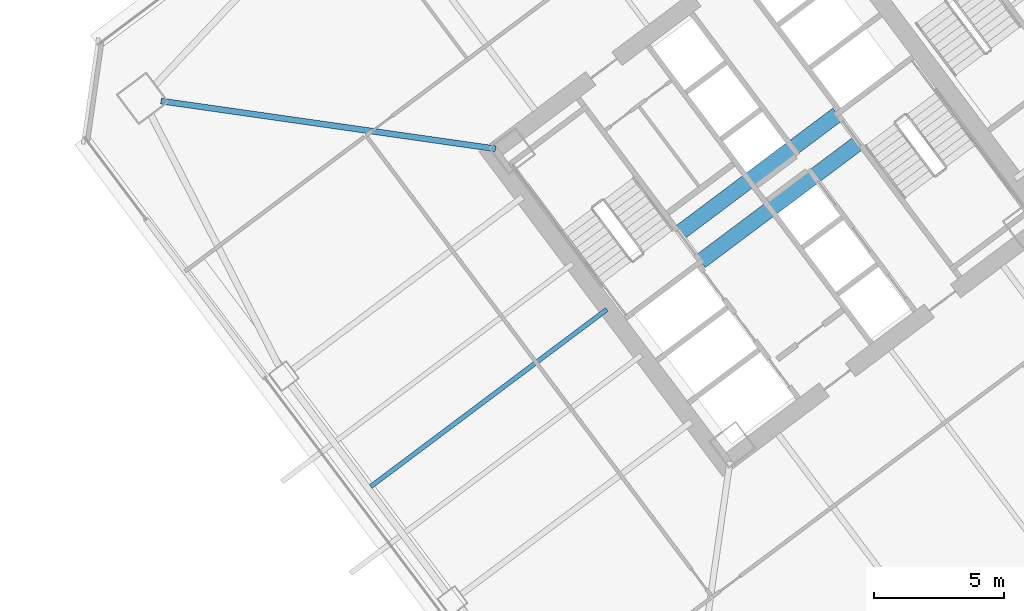
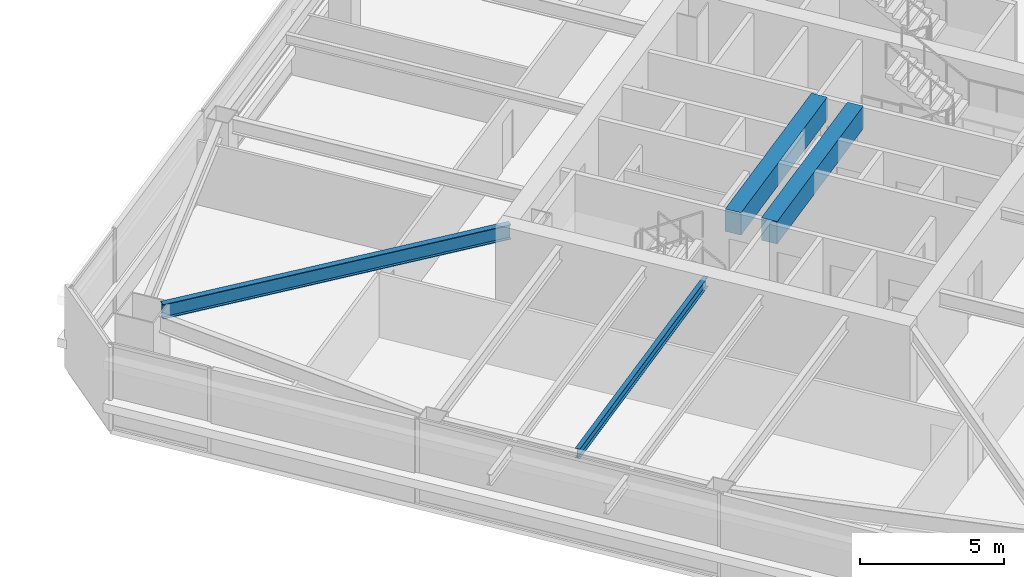
# One storey, part 24 of 47: 4 beams.
"""IFC4 building model written with IfcOpenShell, lengths in metres."""

from ifc_helpers import new_model, si_unit, direction, frame, origin, origin_2d, place, context, subcontext, project, spatial, rectangle, i_section, extrude, material, material_profile, profile_set, type_object, element, save


model = new_model("IFC4")

# Units and contexts
model_context = context("Model", 3, precision=1e-05, world=origin(), true_north=direction((0.0, 1.0)))
body_context = subcontext(model_context, "Body", "Model", "MODEL_VIEW")
ifc_project = project(units=[si_unit("LENGTHUNIT", "METRE"), si_unit("AREAUNIT", "SQUARE_METRE"), si_unit("VOLUMEUNIT", "CUBIC_METRE"), si_unit("PLANEANGLEUNIT", "RADIAN"), si_unit("MASSUNIT", "GRAM", prefix="KILO")], contexts=[model_context])

# Site, building, storey
site_placement = place(None, origin())
site = spatial("IfcSite", under=ifc_project, at=site_placement, CompositionType="ELEMENT")
building_placement = place(site_placement, origin())
building = spatial("IfcBuilding", under=site, at=building_placement, Name="Tashvorn Skyway Center", CompositionType="ELEMENT")
storey_placement = place(building_placement, frame((0.0, 0.0, 81.39990234375)))
storey = spatial("IfcBuildingStorey", under=building, at=storey_placement, Name="L21", CompositionType="ELEMENT", Elevation=81.39990234375)

# Beams
ifc_material_1 = material(Name="Steel ASTM A992 Grade 50", Category="steel")
ifc_material_profile_1 = material_profile(ifc_material_1, i_section(OverallWidth=0.22998046875, OverallDepth=0.616943359375, WebThickness=0.01318359375, FlangeThickness=0.022216796875, at=origin_2d()), Name="W24X94")
ifc_profile_set_1 = profile_set([ifc_material_profile_1], Name="Steel ASTM A992 Grade 50")
beam_type_1 = type_object("IfcBeamType", Name="BM-BEAM-W24X94", PredefinedType="BEAM", material=ifc_profile_set_1)
beam_1_placement = place(storey_placement, frame((90.6328125, 35.338134765625, 3.04150390625), z_axis=(0.989949869571, -0.141418724841, 0.0), x_axis=(0.141418724841, 0.989949869571, 0.0)))
element("IfcBeam", 1, at=beam_1_placement, inside=storey, type_object=beam_type_1, Name="Tower 2 L21 Primary Floor Girder MC-NW", PredefinedType="BEAM", context=body_context, shape_type="SweptSolid", body=[
    extrude(i_section(OverallWidth=0.22998046875, OverallDepth=0.616943359375, WebThickness=0.01318359375, FlangeThickness=0.022216796875, at=origin_2d()), origin(), (0.0, 0.0, 1.0), 12.9892578125),
])
ifc_material_profile_2 = material_profile(ifc_material_1, i_section(OverallWidth=0.177978515625, OverallDepth=0.406005859375, WebThickness=0.0078125, FlangeThickness=0.0126953125, at=origin_2d()), Name="W16X40")
ifc_profile_set_2 = profile_set([ifc_material_profile_2], Name="Steel ASTM A992 Grade 50")
beam_type_2 = type_object("IfcBeamType", Name="BM-JOIST-W16X40", PredefinedType="JOIST", material=ifc_profile_set_2)
beam_2_placement = place(storey_placement, frame((107.76806640625, 27.325927734375, 3.147216796875), z_axis=(-0.800002583493, -0.599996555327, 0.0), x_axis=(0.599996555327, -0.800002583493, 0.0)))
element("IfcBeam", 2, at=beam_2_placement, inside=storey, type_object=beam_type_2, Name="Tower 2 L21 Secondary Composite Joist JW", PredefinedType="JOIST", context=body_context, shape_type="SweptSolid", body=[
    extrude(i_section(OverallWidth=0.177978515625, OverallDepth=0.406005859375, WebThickness=0.0078125, FlangeThickness=0.0126953125, at=origin_2d()), origin(), (0.0, 0.0, 1.0), 11.340087890625),
])
ifc_material_2 = material(Name="Concrete C60/75", Category="concrete")
ifc_material_profile_3 = material_profile(ifc_material_2, rectangle(XDim=0.60009765625, YDim=0.949951171875, at=origin_2d()), Name="RCB600x950")
ifc_profile_set_3 = profile_set([ifc_material_profile_3], Name="Concrete C60/75")
beam_type_3 = type_object("IfcBeamType", Name="BM-LINTEL-RCB600x950", PredefinedType="LINTEL", material=ifc_profile_set_3)
for number, where, z_axis, x_axis, name in (
    (3, (110.552001953125, 30.263916015625, 2.875), (0.8, 0.6, 0.0), (-0.6, 0.8, 0.0), "Tower 2 L21 Core Coupling Beam CN"),
    (4, (111.367919921875, 29.176025390625, 2.875), (0.8, 0.6, 0.0), (-0.6, 0.8, 0.0), "Tower 2 L21 Core Coupling Beam CS"),
):
    element("IfcBeam", number, at=place(storey_placement, frame(where, z_axis=z_axis, x_axis=x_axis)), inside=storey, type_object=beam_type_3, Name=name, PredefinedType="LINTEL", context=body_context, shape_type="SweptSolid", body=[
        extrude(rectangle(XDim=0.60009765625, YDim=0.949951171875, at=origin_2d()), origin(), (0.0, 0.0, 1.0), 7.60009765625),
    ])

save(model, "model.ifc")
